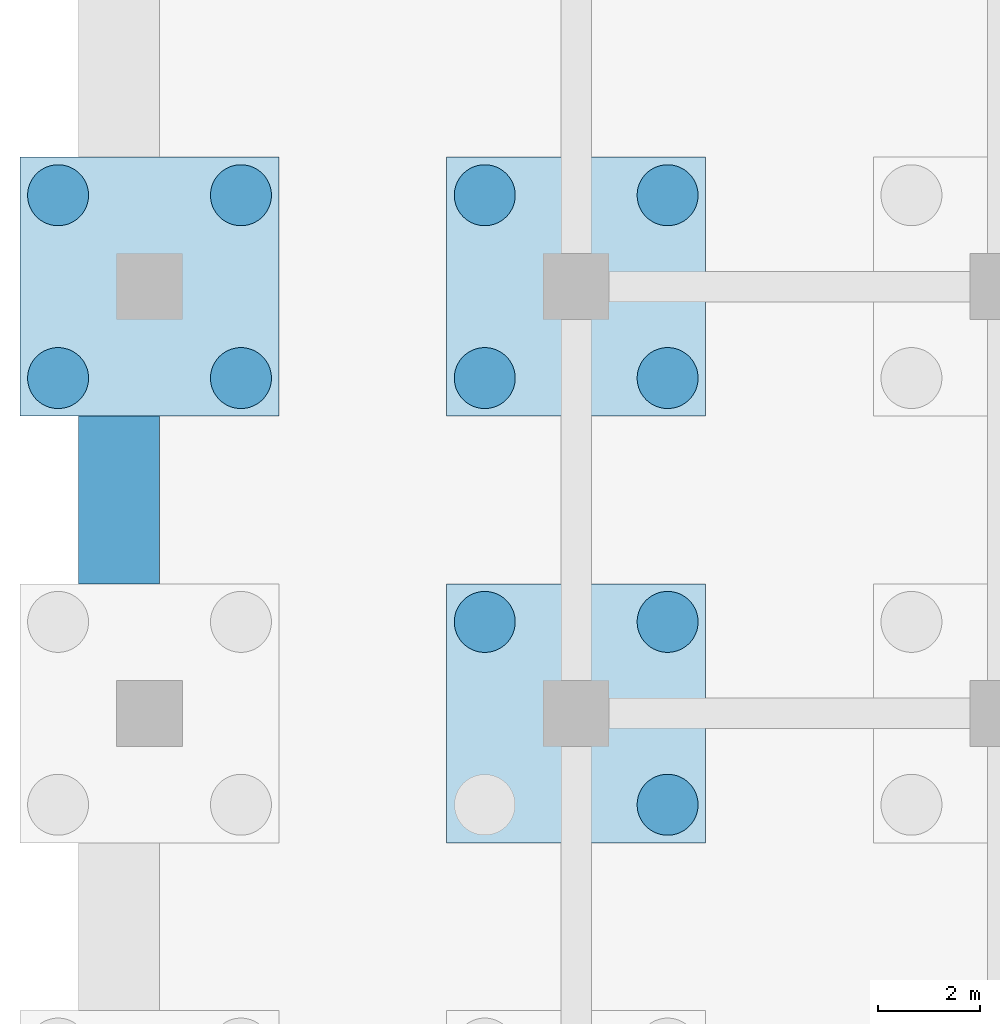
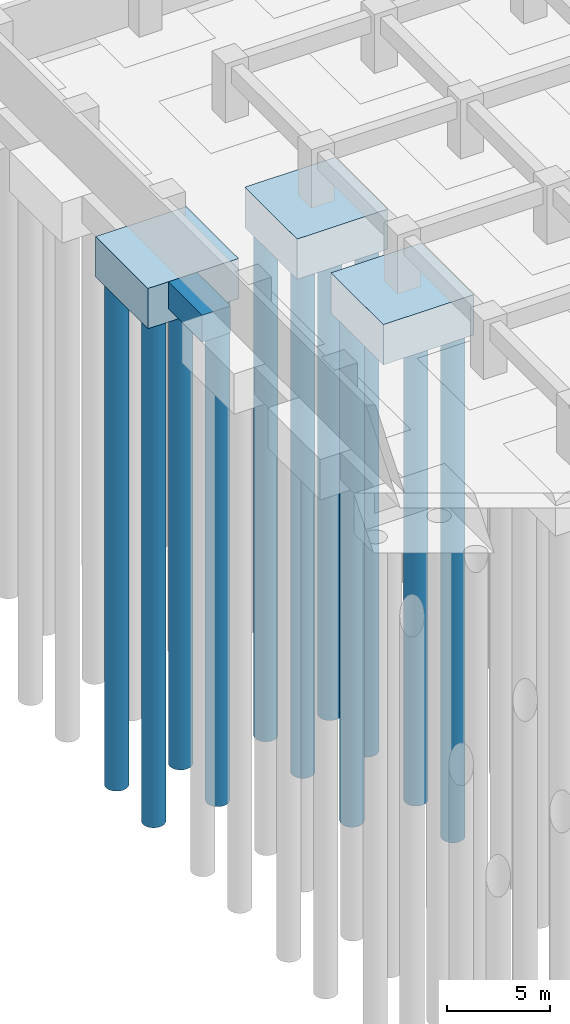
# One storey, part 32 of 73: 11 piles, 4 footings.
"""IFC4 building model written with IfcOpenShell, lengths in metres."""

from ifc_helpers import new_model, si_unit, direction, frame, origin, origin_2d, place, context, subcontext, project, spatial, polyline, circle, outline, extrude, material, material_profile, profile_set, type_object, element, save


model = new_model("IFC4")

# Units and contexts
model_context = context("Model", 3, precision=1e-05, world=origin(), true_north=direction((0.0, 1.0)))
body_context = subcontext(model_context, "Body", "Model", "MODEL_VIEW")
ifc_project = project(units=[si_unit("LENGTHUNIT", "METRE"), si_unit("AREAUNIT", "SQUARE_METRE"), si_unit("VOLUMEUNIT", "CUBIC_METRE"), si_unit("PLANEANGLEUNIT", "RADIAN"), si_unit("MASSUNIT", "GRAM", prefix="KILO")], contexts=[model_context])

# Site, building, storey
site_placement = place(None, origin())
site = spatial("IfcSite", under=ifc_project, at=site_placement, CompositionType="ELEMENT")
building_placement = place(site_placement, origin())
building = spatial("IfcBuilding", under=site, at=building_placement, Name="Impinga Residences", CompositionType="ELEMENT")
storey_placement = place(building_placement, frame((0.0, 0.0, -10.5)))
storey = spatial("IfcBuildingStorey", under=building, at=storey_placement, Name="B3", CompositionType="ELEMENT", Elevation=-10.5)

# Piles
ifc_material_1 = material(Name="Concrete C35/45", Category="concrete")
ifc_material_profile = material_profile(ifc_material_1, circle(Radius=0.60009765625, at=origin_2d()), Name="D1200")
ifc_profile_set = profile_set([ifc_material_profile], Name="Concrete C35/45")
pile_type = type_object("IfcPileType", Name="BP2 bored pile D1200", PredefinedType="BORED", material=ifc_profile_set)
pile_1_placement = place(storey_placement, frame((-52.199951171875, 31.800048828125, -2.39990234375), z_axis=(0.0, 0.0, -1.0), x_axis=(1.0, 0.0, 0.0)))
element("IfcPile", 1, at=pile_1_placement, inside=storey, type_object=pile_type, Name="Cap pile BP2 1/K-1", PredefinedType="BORED", context=body_context, shape_type="SweptSolid", body=[
    extrude(outline(polyline([(0.60009765625, 0.0), (0.59716796875, 0.058837890625), (0.58837890625, 0.116943359375), (0.57421875, 0.174072265625), (0.554443359375, 0.2294921875), (0.529052734375, 0.282958984375), (0.498779296875, 0.333251953125), (0.4638671875, 0.380615234375), (0.42431640625, 0.42431640625), (0.380615234375, 0.4638671875), (0.333251953125, 0.498779296875), (0.282958984375, 0.529052734375), (0.2294921875, 0.554443359375), (0.174072265625, 0.57421875), (0.116943359375, 0.58837890625), (0.058837890625, 0.59716796875), (0.0, 0.60009765625), (-0.058837890625, 0.59716796875), (-0.116943359375, 0.58837890625), (-0.174072265625, 0.57421875), (-0.2294921875, 0.554443359375), (-0.282958984375, 0.529052734375), (-0.333251953125, 0.498779296875), (-0.380615234375, 0.4638671875), (-0.42431640625, 0.42431640625), (-0.4638671875, 0.380615234375), (-0.498779296875, 0.333251953125), (-0.529052734375, 0.282958984375), (-0.554443359375, 0.2294921875), (-0.57421875, 0.174072265625), (-0.58837890625, 0.116943359375), (-0.59716796875, 0.058837890625), (-0.60009765625, 0.0), (-0.59716796875, -0.058837890625), (-0.58837890625, -0.116943359375), (-0.57421875, -0.174072265625), (-0.554443359375, -0.2294921875), (-0.529052734375, -0.282958984375), (-0.498779296875, -0.333251953125), (-0.4638671875, -0.380615234375), (-0.42431640625, -0.42431640625), (-0.380615234375, -0.4638671875), (-0.333251953125, -0.498779296875), (-0.282958984375, -0.529052734375), (-0.2294921875, -0.554443359375), (-0.174072265625, -0.57421875), (-0.116943359375, -0.58837890625), (-0.058837890625, -0.59716796875), (0.0, -0.60009765625), (0.058837890625, -0.59716796875), (0.116943359375, -0.58837890625), (0.174072265625, -0.57421875), (0.2294921875, -0.554443359375), (0.282958984375, -0.529052734375), (0.333251953125, -0.498779296875), (0.380615234375, -0.4638671875), (0.42431640625, -0.42431640625), (0.4638671875, -0.380615234375), (0.498779296875, -0.333251953125), (0.529052734375, -0.282958984375), (0.554443359375, -0.2294921875), (0.57421875, -0.174072265625), (0.58837890625, -0.116943359375), (0.59716796875, -0.058837890625), (0.60009765625, 0.0)])), origin(), (0.0, 0.0, 1.0), 30.0),
])
pile_2_placement = place(storey_placement, frame((-48.60009765625, 31.800048828125, -2.39990234375), z_axis=(0.0, 0.0, -1.0), x_axis=(1.0, 0.0, 0.0)))
element("IfcPile", 2, at=pile_2_placement, inside=storey, type_object=pile_type, Name="Cap pile BP2 1/K-2", PredefinedType="BORED", context=body_context, shape_type="SweptSolid", body=[
    extrude(outline(polyline([(0.60009765625, 0.0), (0.59716796875, 0.058837890625), (0.58837890625, 0.116943359375), (0.57421875, 0.174072265625), (0.554443359375, 0.2294921875), (0.529052734375, 0.282958984375), (0.498779296875, 0.333251953125), (0.4638671875, 0.380615234375), (0.42431640625, 0.42431640625), (0.380615234375, 0.4638671875), (0.333251953125, 0.498779296875), (0.282958984375, 0.529052734375), (0.2294921875, 0.554443359375), (0.174072265625, 0.57421875), (0.116943359375, 0.58837890625), (0.058837890625, 0.59716796875), (0.0, 0.60009765625), (-0.058837890625, 0.59716796875), (-0.116943359375, 0.58837890625), (-0.174072265625, 0.57421875), (-0.2294921875, 0.554443359375), (-0.282958984375, 0.529052734375), (-0.333251953125, 0.498779296875), (-0.380615234375, 0.4638671875), (-0.42431640625, 0.42431640625), (-0.4638671875, 0.380615234375), (-0.498779296875, 0.333251953125), (-0.529052734375, 0.282958984375), (-0.554443359375, 0.2294921875), (-0.57421875, 0.174072265625), (-0.58837890625, 0.116943359375), (-0.59716796875, 0.058837890625), (-0.60009765625, 0.0), (-0.59716796875, -0.058837890625), (-0.58837890625, -0.116943359375), (-0.57421875, -0.174072265625), (-0.554443359375, -0.2294921875), (-0.529052734375, -0.282958984375), (-0.498779296875, -0.333251953125), (-0.4638671875, -0.380615234375), (-0.42431640625, -0.42431640625), (-0.380615234375, -0.4638671875), (-0.333251953125, -0.498779296875), (-0.282958984375, -0.529052734375), (-0.2294921875, -0.554443359375), (-0.174072265625, -0.57421875), (-0.116943359375, -0.58837890625), (-0.058837890625, -0.59716796875), (0.0, -0.60009765625), (0.058837890625, -0.59716796875), (0.116943359375, -0.58837890625), (0.174072265625, -0.57421875), (0.2294921875, -0.554443359375), (0.282958984375, -0.529052734375), (0.333251953125, -0.498779296875), (0.380615234375, -0.4638671875), (0.42431640625, -0.42431640625), (0.4638671875, -0.380615234375), (0.498779296875, -0.333251953125), (0.529052734375, -0.282958984375), (0.554443359375, -0.2294921875), (0.57421875, -0.174072265625), (0.58837890625, -0.116943359375), (0.59716796875, -0.058837890625), (0.60009765625, 0.0)])), origin(), (0.0, 0.0, 1.0), 30.0),
])
pile_3_placement = place(storey_placement, frame((-48.60009765625, 35.39990234375, -2.39990234375), z_axis=(0.0, 0.0, -1.0), x_axis=(1.0, 0.0, 0.0)))
element("IfcPile", 3, at=pile_3_placement, inside=storey, type_object=pile_type, Name="Cap pile BP2 1/K-3", PredefinedType="BORED", context=body_context, shape_type="SweptSolid", body=[
    extrude(outline(polyline([(0.60009765625, 0.0), (0.59716796875, 0.058837890625), (0.58837890625, 0.116943359375), (0.57421875, 0.174072265625), (0.554443359375, 0.2294921875), (0.529052734375, 0.282958984375), (0.498779296875, 0.333251953125), (0.4638671875, 0.380615234375), (0.42431640625, 0.42431640625), (0.380615234375, 0.4638671875), (0.333251953125, 0.498779296875), (0.282958984375, 0.529052734375), (0.2294921875, 0.554443359375), (0.174072265625, 0.57421875), (0.116943359375, 0.58837890625), (0.058837890625, 0.59716796875), (0.0, 0.60009765625), (-0.058837890625, 0.59716796875), (-0.116943359375, 0.58837890625), (-0.174072265625, 0.57421875), (-0.2294921875, 0.554443359375), (-0.282958984375, 0.529052734375), (-0.333251953125, 0.498779296875), (-0.380615234375, 0.4638671875), (-0.42431640625, 0.42431640625), (-0.4638671875, 0.380615234375), (-0.498779296875, 0.333251953125), (-0.529052734375, 0.282958984375), (-0.554443359375, 0.2294921875), (-0.57421875, 0.174072265625), (-0.58837890625, 0.116943359375), (-0.59716796875, 0.058837890625), (-0.60009765625, 0.0), (-0.59716796875, -0.058837890625), (-0.58837890625, -0.116943359375), (-0.57421875, -0.174072265625), (-0.554443359375, -0.2294921875), (-0.529052734375, -0.282958984375), (-0.498779296875, -0.333251953125), (-0.4638671875, -0.380615234375), (-0.42431640625, -0.42431640625), (-0.380615234375, -0.4638671875), (-0.333251953125, -0.498779296875), (-0.282958984375, -0.529052734375), (-0.2294921875, -0.554443359375), (-0.174072265625, -0.57421875), (-0.116943359375, -0.58837890625), (-0.058837890625, -0.59716796875), (0.0, -0.60009765625), (0.058837890625, -0.59716796875), (0.116943359375, -0.58837890625), (0.174072265625, -0.57421875), (0.2294921875, -0.554443359375), (0.282958984375, -0.529052734375), (0.333251953125, -0.498779296875), (0.380615234375, -0.4638671875), (0.42431640625, -0.42431640625), (0.4638671875, -0.380615234375), (0.498779296875, -0.333251953125), (0.529052734375, -0.282958984375), (0.554443359375, -0.2294921875), (0.57421875, -0.174072265625), (0.58837890625, -0.116943359375), (0.59716796875, -0.058837890625), (0.60009765625, 0.0)])), origin(), (0.0, 0.0, 1.0), 30.0),
])
pile_4_placement = place(storey_placement, frame((-52.199951171875, 35.39990234375, -2.39990234375), z_axis=(0.0, 0.0, -1.0), x_axis=(1.0, 0.0, 0.0)))
element("IfcPile", 4, at=pile_4_placement, inside=storey, type_object=pile_type, Name="Cap pile BP2 1/K-4", PredefinedType="BORED", context=body_context, shape_type="SweptSolid", body=[
    extrude(outline(polyline([(0.60009765625, 0.0), (0.59716796875, 0.058837890625), (0.58837890625, 0.116943359375), (0.57421875, 0.174072265625), (0.554443359375, 0.2294921875), (0.529052734375, 0.282958984375), (0.498779296875, 0.333251953125), (0.4638671875, 0.380615234375), (0.42431640625, 0.42431640625), (0.380615234375, 0.4638671875), (0.333251953125, 0.498779296875), (0.282958984375, 0.529052734375), (0.2294921875, 0.554443359375), (0.174072265625, 0.57421875), (0.116943359375, 0.58837890625), (0.058837890625, 0.59716796875), (0.0, 0.60009765625), (-0.058837890625, 0.59716796875), (-0.116943359375, 0.58837890625), (-0.174072265625, 0.57421875), (-0.2294921875, 0.554443359375), (-0.282958984375, 0.529052734375), (-0.333251953125, 0.498779296875), (-0.380615234375, 0.4638671875), (-0.42431640625, 0.42431640625), (-0.4638671875, 0.380615234375), (-0.498779296875, 0.333251953125), (-0.529052734375, 0.282958984375), (-0.554443359375, 0.2294921875), (-0.57421875, 0.174072265625), (-0.58837890625, 0.116943359375), (-0.59716796875, 0.058837890625), (-0.60009765625, 0.0), (-0.59716796875, -0.058837890625), (-0.58837890625, -0.116943359375), (-0.57421875, -0.174072265625), (-0.554443359375, -0.2294921875), (-0.529052734375, -0.282958984375), (-0.498779296875, -0.333251953125), (-0.4638671875, -0.380615234375), (-0.42431640625, -0.42431640625), (-0.380615234375, -0.4638671875), (-0.333251953125, -0.498779296875), (-0.282958984375, -0.529052734375), (-0.2294921875, -0.554443359375), (-0.174072265625, -0.57421875), (-0.116943359375, -0.58837890625), (-0.058837890625, -0.59716796875), (0.0, -0.60009765625), (0.058837890625, -0.59716796875), (0.116943359375, -0.58837890625), (0.174072265625, -0.57421875), (0.2294921875, -0.554443359375), (0.282958984375, -0.529052734375), (0.333251953125, -0.498779296875), (0.380615234375, -0.4638671875), (0.42431640625, -0.42431640625), (0.4638671875, -0.380615234375), (0.498779296875, -0.333251953125), (0.529052734375, -0.282958984375), (0.554443359375, -0.2294921875), (0.57421875, -0.174072265625), (0.58837890625, -0.116943359375), (0.59716796875, -0.058837890625), (0.60009765625, 0.0)])), origin(), (0.0, 0.0, 1.0), 30.0),
])
pile_5_placement = place(storey_placement, frame((-40.199951171875, 23.39990234375, -2.39990234375), z_axis=(0.0, 0.0, -1.0), x_axis=(1.0, 0.0, 0.0)))
element("IfcPile", 5, at=pile_5_placement, inside=storey, type_object=pile_type, Name="Cap pile BP2 2/J-2", PredefinedType="BORED", context=body_context, shape_type="SweptSolid", body=[
    extrude(outline(polyline([(0.60009765625, 0.0), (0.59716796875, 0.058837890625), (0.58837890625, 0.116943359375), (0.57421875, 0.174072265625), (0.554443359375, 0.2294921875), (0.529052734375, 0.282958984375), (0.498779296875, 0.333251953125), (0.4638671875, 0.380615234375), (0.42431640625, 0.42431640625), (0.380615234375, 0.4638671875), (0.333251953125, 0.498779296875), (0.282958984375, 0.529052734375), (0.2294921875, 0.554443359375), (0.174072265625, 0.57421875), (0.116943359375, 0.58837890625), (0.058837890625, 0.59716796875), (0.0, 0.60009765625), (-0.058837890625, 0.59716796875), (-0.116943359375, 0.58837890625), (-0.174072265625, 0.57421875), (-0.2294921875, 0.554443359375), (-0.282958984375, 0.529052734375), (-0.333251953125, 0.498779296875), (-0.380615234375, 0.4638671875), (-0.42431640625, 0.42431640625), (-0.4638671875, 0.380615234375), (-0.498779296875, 0.333251953125), (-0.529052734375, 0.282958984375), (-0.554443359375, 0.2294921875), (-0.57421875, 0.174072265625), (-0.58837890625, 0.116943359375), (-0.59716796875, 0.058837890625), (-0.60009765625, 0.0), (-0.59716796875, -0.058837890625), (-0.58837890625, -0.116943359375), (-0.57421875, -0.174072265625), (-0.554443359375, -0.2294921875), (-0.529052734375, -0.282958984375), (-0.498779296875, -0.333251953125), (-0.4638671875, -0.380615234375), (-0.42431640625, -0.42431640625), (-0.380615234375, -0.4638671875), (-0.333251953125, -0.498779296875), (-0.282958984375, -0.529052734375), (-0.2294921875, -0.554443359375), (-0.174072265625, -0.57421875), (-0.116943359375, -0.58837890625), (-0.058837890625, -0.59716796875), (0.0, -0.60009765625), (0.058837890625, -0.59716796875), (0.116943359375, -0.58837890625), (0.174072265625, -0.57421875), (0.2294921875, -0.554443359375), (0.282958984375, -0.529052734375), (0.333251953125, -0.498779296875), (0.380615234375, -0.4638671875), (0.42431640625, -0.42431640625), (0.4638671875, -0.380615234375), (0.498779296875, -0.333251953125), (0.529052734375, -0.282958984375), (0.554443359375, -0.2294921875), (0.57421875, -0.174072265625), (0.58837890625, -0.116943359375), (0.59716796875, -0.058837890625), (0.60009765625, 0.0)])), origin(), (0.0, 0.0, 1.0), 30.0),
])
pile_6_placement = place(storey_placement, frame((-40.199951171875, 27.0, -2.39990234375), z_axis=(0.0, 0.0, -1.0), x_axis=(1.0, 0.0, 0.0)))
element("IfcPile", 6, at=pile_6_placement, inside=storey, type_object=pile_type, Name="Cap pile BP2 2/J-3", PredefinedType="BORED", context=body_context, shape_type="SweptSolid", body=[
    extrude(outline(polyline([(0.60009765625, 0.0), (0.59716796875, 0.058837890625), (0.58837890625, 0.116943359375), (0.57421875, 0.174072265625), (0.554443359375, 0.2294921875), (0.529052734375, 0.282958984375), (0.498779296875, 0.333251953125), (0.4638671875, 0.380615234375), (0.42431640625, 0.42431640625), (0.380615234375, 0.4638671875), (0.333251953125, 0.498779296875), (0.282958984375, 0.529052734375), (0.2294921875, 0.554443359375), (0.174072265625, 0.57421875), (0.116943359375, 0.58837890625), (0.058837890625, 0.59716796875), (0.0, 0.60009765625), (-0.058837890625, 0.59716796875), (-0.116943359375, 0.58837890625), (-0.174072265625, 0.57421875), (-0.2294921875, 0.554443359375), (-0.282958984375, 0.529052734375), (-0.333251953125, 0.498779296875), (-0.380615234375, 0.4638671875), (-0.42431640625, 0.42431640625), (-0.4638671875, 0.380615234375), (-0.498779296875, 0.333251953125), (-0.529052734375, 0.282958984375), (-0.554443359375, 0.2294921875), (-0.57421875, 0.174072265625), (-0.58837890625, 0.116943359375), (-0.59716796875, 0.058837890625), (-0.60009765625, 0.0), (-0.59716796875, -0.058837890625), (-0.58837890625, -0.116943359375), (-0.57421875, -0.174072265625), (-0.554443359375, -0.2294921875), (-0.529052734375, -0.282958984375), (-0.498779296875, -0.333251953125), (-0.4638671875, -0.380615234375), (-0.42431640625, -0.42431640625), (-0.380615234375, -0.4638671875), (-0.333251953125, -0.498779296875), (-0.282958984375, -0.529052734375), (-0.2294921875, -0.554443359375), (-0.174072265625, -0.57421875), (-0.116943359375, -0.58837890625), (-0.058837890625, -0.59716796875), (0.0, -0.60009765625), (0.058837890625, -0.59716796875), (0.116943359375, -0.58837890625), (0.174072265625, -0.57421875), (0.2294921875, -0.554443359375), (0.282958984375, -0.529052734375), (0.333251953125, -0.498779296875), (0.380615234375, -0.4638671875), (0.42431640625, -0.42431640625), (0.4638671875, -0.380615234375), (0.498779296875, -0.333251953125), (0.529052734375, -0.282958984375), (0.554443359375, -0.2294921875), (0.57421875, -0.174072265625), (0.58837890625, -0.116943359375), (0.59716796875, -0.058837890625), (0.60009765625, 0.0)])), origin(), (0.0, 0.0, 1.0), 30.0),
])
pile_7_placement = place(storey_placement, frame((-43.800048828125, 27.0, -2.39990234375), z_axis=(0.0, 0.0, -1.0), x_axis=(1.0, 0.0, 0.0)))
element("IfcPile", 7, at=pile_7_placement, inside=storey, type_object=pile_type, Name="Cap pile BP2 2/J-4", PredefinedType="BORED", context=body_context, shape_type="SweptSolid", body=[
    extrude(outline(polyline([(0.60009765625, 0.0), (0.59716796875, 0.058837890625), (0.58837890625, 0.116943359375), (0.57421875, 0.174072265625), (0.554443359375, 0.2294921875), (0.529052734375, 0.282958984375), (0.498779296875, 0.333251953125), (0.4638671875, 0.380615234375), (0.42431640625, 0.42431640625), (0.380615234375, 0.4638671875), (0.333251953125, 0.498779296875), (0.282958984375, 0.529052734375), (0.2294921875, 0.554443359375), (0.174072265625, 0.57421875), (0.116943359375, 0.58837890625), (0.058837890625, 0.59716796875), (0.0, 0.60009765625), (-0.058837890625, 0.59716796875), (-0.116943359375, 0.58837890625), (-0.174072265625, 0.57421875), (-0.2294921875, 0.554443359375), (-0.282958984375, 0.529052734375), (-0.333251953125, 0.498779296875), (-0.380615234375, 0.4638671875), (-0.42431640625, 0.42431640625), (-0.4638671875, 0.380615234375), (-0.498779296875, 0.333251953125), (-0.529052734375, 0.282958984375), (-0.554443359375, 0.2294921875), (-0.57421875, 0.174072265625), (-0.58837890625, 0.116943359375), (-0.59716796875, 0.058837890625), (-0.60009765625, 0.0), (-0.59716796875, -0.058837890625), (-0.58837890625, -0.116943359375), (-0.57421875, -0.174072265625), (-0.554443359375, -0.2294921875), (-0.529052734375, -0.282958984375), (-0.498779296875, -0.333251953125), (-0.4638671875, -0.380615234375), (-0.42431640625, -0.42431640625), (-0.380615234375, -0.4638671875), (-0.333251953125, -0.498779296875), (-0.282958984375, -0.529052734375), (-0.2294921875, -0.554443359375), (-0.174072265625, -0.57421875), (-0.116943359375, -0.58837890625), (-0.058837890625, -0.59716796875), (0.0, -0.60009765625), (0.058837890625, -0.59716796875), (0.116943359375, -0.58837890625), (0.174072265625, -0.57421875), (0.2294921875, -0.554443359375), (0.282958984375, -0.529052734375), (0.333251953125, -0.498779296875), (0.380615234375, -0.4638671875), (0.42431640625, -0.42431640625), (0.4638671875, -0.380615234375), (0.498779296875, -0.333251953125), (0.529052734375, -0.282958984375), (0.554443359375, -0.2294921875), (0.57421875, -0.174072265625), (0.58837890625, -0.116943359375), (0.59716796875, -0.058837890625), (0.60009765625, 0.0)])), origin(), (0.0, 0.0, 1.0), 30.0),
])
pile_8_placement = place(storey_placement, frame((-43.800048828125, 31.800048828125, -2.39990234375), z_axis=(0.0, 0.0, -1.0), x_axis=(1.0, 0.0, 0.0)))
element("IfcPile", 8, at=pile_8_placement, inside=storey, type_object=pile_type, Name="Cap pile BP2 2/K-1", PredefinedType="BORED", context=body_context, shape_type="SweptSolid", body=[
    extrude(outline(polyline([(0.60009765625, 0.0), (0.59716796875, 0.058837890625), (0.58837890625, 0.116943359375), (0.57421875, 0.174072265625), (0.554443359375, 0.2294921875), (0.529052734375, 0.282958984375), (0.498779296875, 0.333251953125), (0.4638671875, 0.380615234375), (0.42431640625, 0.42431640625), (0.380615234375, 0.4638671875), (0.333251953125, 0.498779296875), (0.282958984375, 0.529052734375), (0.2294921875, 0.554443359375), (0.174072265625, 0.57421875), (0.116943359375, 0.58837890625), (0.058837890625, 0.59716796875), (0.0, 0.60009765625), (-0.058837890625, 0.59716796875), (-0.116943359375, 0.58837890625), (-0.174072265625, 0.57421875), (-0.2294921875, 0.554443359375), (-0.282958984375, 0.529052734375), (-0.333251953125, 0.498779296875), (-0.380615234375, 0.4638671875), (-0.42431640625, 0.42431640625), (-0.4638671875, 0.380615234375), (-0.498779296875, 0.333251953125), (-0.529052734375, 0.282958984375), (-0.554443359375, 0.2294921875), (-0.57421875, 0.174072265625), (-0.58837890625, 0.116943359375), (-0.59716796875, 0.058837890625), (-0.60009765625, 0.0), (-0.59716796875, -0.058837890625), (-0.58837890625, -0.116943359375), (-0.57421875, -0.174072265625), (-0.554443359375, -0.2294921875), (-0.529052734375, -0.282958984375), (-0.498779296875, -0.333251953125), (-0.4638671875, -0.380615234375), (-0.42431640625, -0.42431640625), (-0.380615234375, -0.4638671875), (-0.333251953125, -0.498779296875), (-0.282958984375, -0.529052734375), (-0.2294921875, -0.554443359375), (-0.174072265625, -0.57421875), (-0.116943359375, -0.58837890625), (-0.058837890625, -0.59716796875), (0.0, -0.60009765625), (0.058837890625, -0.59716796875), (0.116943359375, -0.58837890625), (0.174072265625, -0.57421875), (0.2294921875, -0.554443359375), (0.282958984375, -0.529052734375), (0.333251953125, -0.498779296875), (0.380615234375, -0.4638671875), (0.42431640625, -0.42431640625), (0.4638671875, -0.380615234375), (0.498779296875, -0.333251953125), (0.529052734375, -0.282958984375), (0.554443359375, -0.2294921875), (0.57421875, -0.174072265625), (0.58837890625, -0.116943359375), (0.59716796875, -0.058837890625), (0.60009765625, 0.0)])), origin(), (0.0, 0.0, 1.0), 30.0),
])
pile_9_placement = place(storey_placement, frame((-40.199951171875, 31.800048828125, -2.39990234375), z_axis=(0.0, 0.0, -1.0), x_axis=(1.0, 0.0, 0.0)))
element("IfcPile", 9, at=pile_9_placement, inside=storey, type_object=pile_type, Name="Cap pile BP2 2/K-2", PredefinedType="BORED", context=body_context, shape_type="SweptSolid", body=[
    extrude(outline(polyline([(0.60009765625, 0.0), (0.59716796875, 0.058837890625), (0.58837890625, 0.116943359375), (0.57421875, 0.174072265625), (0.554443359375, 0.2294921875), (0.529052734375, 0.282958984375), (0.498779296875, 0.333251953125), (0.4638671875, 0.380615234375), (0.42431640625, 0.42431640625), (0.380615234375, 0.4638671875), (0.333251953125, 0.498779296875), (0.282958984375, 0.529052734375), (0.2294921875, 0.554443359375), (0.174072265625, 0.57421875), (0.116943359375, 0.58837890625), (0.058837890625, 0.59716796875), (0.0, 0.60009765625), (-0.058837890625, 0.59716796875), (-0.116943359375, 0.58837890625), (-0.174072265625, 0.57421875), (-0.2294921875, 0.554443359375), (-0.282958984375, 0.529052734375), (-0.333251953125, 0.498779296875), (-0.380615234375, 0.4638671875), (-0.42431640625, 0.42431640625), (-0.4638671875, 0.380615234375), (-0.498779296875, 0.333251953125), (-0.529052734375, 0.282958984375), (-0.554443359375, 0.2294921875), (-0.57421875, 0.174072265625), (-0.58837890625, 0.116943359375), (-0.59716796875, 0.058837890625), (-0.60009765625, 0.0), (-0.59716796875, -0.058837890625), (-0.58837890625, -0.116943359375), (-0.57421875, -0.174072265625), (-0.554443359375, -0.2294921875), (-0.529052734375, -0.282958984375), (-0.498779296875, -0.333251953125), (-0.4638671875, -0.380615234375), (-0.42431640625, -0.42431640625), (-0.380615234375, -0.4638671875), (-0.333251953125, -0.498779296875), (-0.282958984375, -0.529052734375), (-0.2294921875, -0.554443359375), (-0.174072265625, -0.57421875), (-0.116943359375, -0.58837890625), (-0.058837890625, -0.59716796875), (0.0, -0.60009765625), (0.058837890625, -0.59716796875), (0.116943359375, -0.58837890625), (0.174072265625, -0.57421875), (0.2294921875, -0.554443359375), (0.282958984375, -0.529052734375), (0.333251953125, -0.498779296875), (0.380615234375, -0.4638671875), (0.42431640625, -0.42431640625), (0.4638671875, -0.380615234375), (0.498779296875, -0.333251953125), (0.529052734375, -0.282958984375), (0.554443359375, -0.2294921875), (0.57421875, -0.174072265625), (0.58837890625, -0.116943359375), (0.59716796875, -0.058837890625), (0.60009765625, 0.0)])), origin(), (0.0, 0.0, 1.0), 30.0),
])
pile_10_placement = place(storey_placement, frame((-40.199951171875, 35.39990234375, -2.39990234375), z_axis=(0.0, 0.0, -1.0), x_axis=(1.0, 0.0, 0.0)))
element("IfcPile", 10, at=pile_10_placement, inside=storey, type_object=pile_type, Name="Cap pile BP2 2/K-3", PredefinedType="BORED", context=body_context, shape_type="SweptSolid", body=[
    extrude(outline(polyline([(0.60009765625, 0.0), (0.59716796875, 0.058837890625), (0.58837890625, 0.116943359375), (0.57421875, 0.174072265625), (0.554443359375, 0.2294921875), (0.529052734375, 0.282958984375), (0.498779296875, 0.333251953125), (0.4638671875, 0.380615234375), (0.42431640625, 0.42431640625), (0.380615234375, 0.4638671875), (0.333251953125, 0.498779296875), (0.282958984375, 0.529052734375), (0.2294921875, 0.554443359375), (0.174072265625, 0.57421875), (0.116943359375, 0.58837890625), (0.058837890625, 0.59716796875), (0.0, 0.60009765625), (-0.058837890625, 0.59716796875), (-0.116943359375, 0.58837890625), (-0.174072265625, 0.57421875), (-0.2294921875, 0.554443359375), (-0.282958984375, 0.529052734375), (-0.333251953125, 0.498779296875), (-0.380615234375, 0.4638671875), (-0.42431640625, 0.42431640625), (-0.4638671875, 0.380615234375), (-0.498779296875, 0.333251953125), (-0.529052734375, 0.282958984375), (-0.554443359375, 0.2294921875), (-0.57421875, 0.174072265625), (-0.58837890625, 0.116943359375), (-0.59716796875, 0.058837890625), (-0.60009765625, 0.0), (-0.59716796875, -0.058837890625), (-0.58837890625, -0.116943359375), (-0.57421875, -0.174072265625), (-0.554443359375, -0.2294921875), (-0.529052734375, -0.282958984375), (-0.498779296875, -0.333251953125), (-0.4638671875, -0.380615234375), (-0.42431640625, -0.42431640625), (-0.380615234375, -0.4638671875), (-0.333251953125, -0.498779296875), (-0.282958984375, -0.529052734375), (-0.2294921875, -0.554443359375), (-0.174072265625, -0.57421875), (-0.116943359375, -0.58837890625), (-0.058837890625, -0.59716796875), (0.0, -0.60009765625), (0.058837890625, -0.59716796875), (0.116943359375, -0.58837890625), (0.174072265625, -0.57421875), (0.2294921875, -0.554443359375), (0.282958984375, -0.529052734375), (0.333251953125, -0.498779296875), (0.380615234375, -0.4638671875), (0.42431640625, -0.42431640625), (0.4638671875, -0.380615234375), (0.498779296875, -0.333251953125), (0.529052734375, -0.282958984375), (0.554443359375, -0.2294921875), (0.57421875, -0.174072265625), (0.58837890625, -0.116943359375), (0.59716796875, -0.058837890625), (0.60009765625, 0.0)])), origin(), (0.0, 0.0, 1.0), 30.0),
])
pile_11_placement = place(storey_placement, frame((-43.800048828125, 35.39990234375, -2.39990234375), z_axis=(0.0, 0.0, -1.0), x_axis=(1.0, 0.0, 0.0)))
element("IfcPile", 11, at=pile_11_placement, inside=storey, type_object=pile_type, Name="Cap pile BP2 2/K-4", PredefinedType="BORED", context=body_context, shape_type="SweptSolid", body=[
    extrude(outline(polyline([(0.60009765625, 0.0), (0.59716796875, 0.058837890625), (0.58837890625, 0.116943359375), (0.57421875, 0.174072265625), (0.554443359375, 0.2294921875), (0.529052734375, 0.282958984375), (0.498779296875, 0.333251953125), (0.4638671875, 0.380615234375), (0.42431640625, 0.42431640625), (0.380615234375, 0.4638671875), (0.333251953125, 0.498779296875), (0.282958984375, 0.529052734375), (0.2294921875, 0.554443359375), (0.174072265625, 0.57421875), (0.116943359375, 0.58837890625), (0.058837890625, 0.59716796875), (0.0, 0.60009765625), (-0.058837890625, 0.59716796875), (-0.116943359375, 0.58837890625), (-0.174072265625, 0.57421875), (-0.2294921875, 0.554443359375), (-0.282958984375, 0.529052734375), (-0.333251953125, 0.498779296875), (-0.380615234375, 0.4638671875), (-0.42431640625, 0.42431640625), (-0.4638671875, 0.380615234375), (-0.498779296875, 0.333251953125), (-0.529052734375, 0.282958984375), (-0.554443359375, 0.2294921875), (-0.57421875, 0.174072265625), (-0.58837890625, 0.116943359375), (-0.59716796875, 0.058837890625), (-0.60009765625, 0.0), (-0.59716796875, -0.058837890625), (-0.58837890625, -0.116943359375), (-0.57421875, -0.174072265625), (-0.554443359375, -0.2294921875), (-0.529052734375, -0.282958984375), (-0.498779296875, -0.333251953125), (-0.4638671875, -0.380615234375), (-0.42431640625, -0.42431640625), (-0.380615234375, -0.4638671875), (-0.333251953125, -0.498779296875), (-0.282958984375, -0.529052734375), (-0.2294921875, -0.554443359375), (-0.174072265625, -0.57421875), (-0.116943359375, -0.58837890625), (-0.058837890625, -0.59716796875), (0.0, -0.60009765625), (0.058837890625, -0.59716796875), (0.116943359375, -0.58837890625), (0.174072265625, -0.57421875), (0.2294921875, -0.554443359375), (0.282958984375, -0.529052734375), (0.333251953125, -0.498779296875), (0.380615234375, -0.4638671875), (0.42431640625, -0.42431640625), (0.4638671875, -0.380615234375), (0.498779296875, -0.333251953125), (0.529052734375, -0.282958984375), (0.554443359375, -0.2294921875), (0.57421875, -0.174072265625), (0.58837890625, -0.116943359375), (0.59716796875, -0.058837890625), (0.60009765625, 0.0)])), origin(), (0.0, 0.0, 1.0), 30.0),
])

# Footings
ifc_material_2 = material(Name="Concrete C45/55", Category="concrete")
footing_type_1 = type_object("IfcFootingType", Name="PC4 four-pile cap 5100 square 2400 deep", PredefinedType="PILE_CAP", material=ifc_material_2)
footing_1_placement = place(storey_placement, frame((0.0, 0.0, -2.39990234375)))
element("IfcFooting", 12, at=footing_1_placement, inside=storey, type_object=footing_type_1, Name="Pile cap PC4 1/K", PredefinedType="PILE_CAP", context=body_context, shape_type="SweptSolid", body=[
    extrude(outline(polyline([(-47.85009765625, 31.050048828125), (-47.85009765625, 36.14990234375), (-52.949951171875, 36.14990234375), (-52.949951171875, 31.050048828125), (-47.85009765625, 31.050048828125)])), origin(), (0.0, 0.0, 1.0), 2.39990234375),
])
footing_2_placement = place(storey_placement, frame((0.0, 0.0, -2.39990234375)))
element("IfcFooting", 13, at=footing_2_placement, inside=storey, type_object=footing_type_1, Name="Pile cap PC4 2/J", PredefinedType="PILE_CAP", context=body_context, shape_type="SweptSolid", body=[
    extrude(outline(polyline([(-39.449951171875, 22.64990234375), (-39.449951171875, 27.75), (-44.550048828125, 27.75), (-44.550048828125, 22.64990234375), (-39.449951171875, 22.64990234375)])), origin(), (0.0, 0.0, 1.0), 2.39990234375),
])
footing_3_placement = place(storey_placement, frame((0.0, 0.0, -2.39990234375)))
element("IfcFooting", 14, at=footing_3_placement, inside=storey, type_object=footing_type_1, Name="Pile cap PC4 2/K", PredefinedType="PILE_CAP", context=body_context, shape_type="SweptSolid", body=[
    extrude(outline(polyline([(-39.449951171875, 31.050048828125), (-39.449951171875, 36.14990234375), (-44.550048828125, 36.14990234375), (-44.550048828125, 31.050048828125), (-39.449951171875, 31.050048828125)])), origin(), (0.0, 0.0, 1.0), 2.39990234375),
])
footing_type_2 = type_object("IfcFootingType", Name="SF1 strip footing 1600 wide 1600 deep", PredefinedType="STRIP_FOOTING", material=ifc_material_2)
footing_4_placement = place(storey_placement, frame((0.0, 0.0, -1.60009765625)))
element("IfcFooting", 15, at=footing_4_placement, inside=storey, type_object=footing_type_2, Name="Strip footing SF1 W 3", PredefinedType="STRIP_FOOTING", context=body_context, shape_type="SweptSolid", body=[
    extrude(outline(polyline([(-50.199951171875, 27.75), (-51.800048828125, 27.75), (-51.800048828125, 31.050048828125), (-50.199951171875, 31.050048828125), (-50.199951171875, 27.75)])), origin(), (0.0, 0.0, 1.0), 1.60009765625),
])

save(model, "model.ifc")
